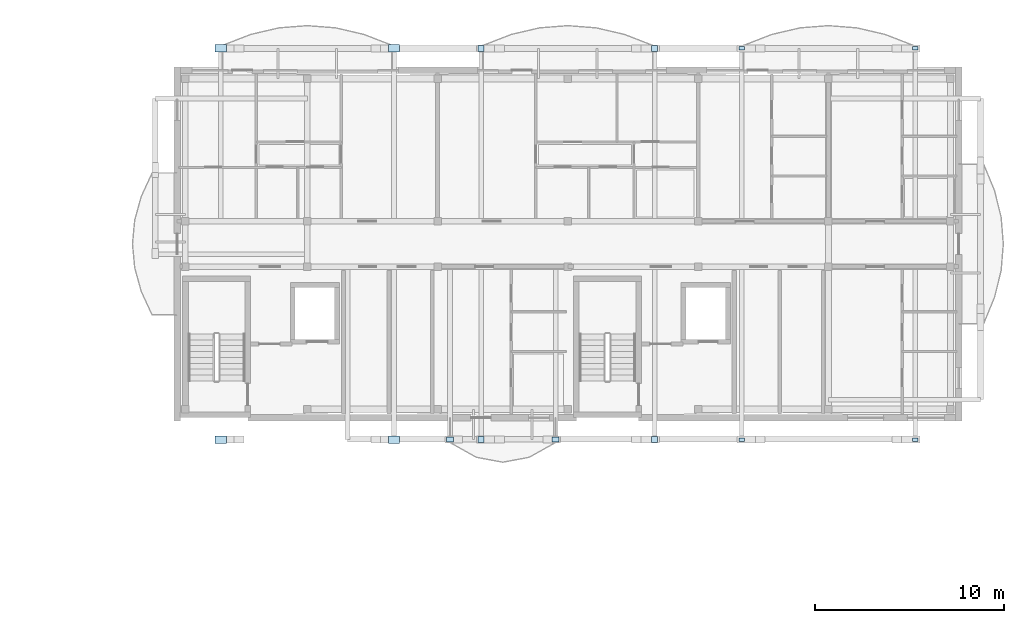
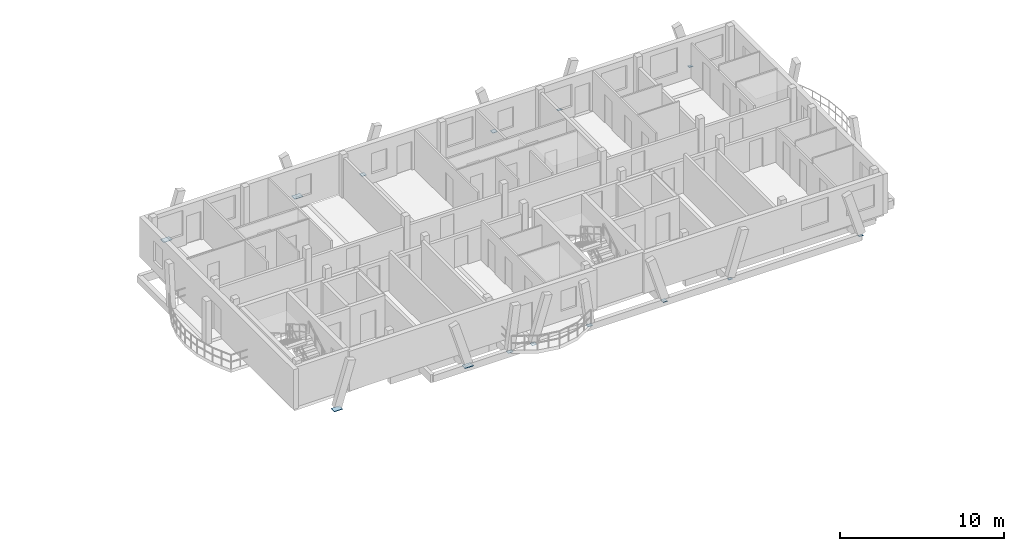
# One storey, part 12 of 41: 14 plates.
"""IFC4 building model written with IfcOpenShell, lengths in metres."""

import ifcopenshell
import ifcopenshell.guid

model = None  # the IFC model being written
_history = None  # IfcOwnerHistory: only IFC2X3 demands one
_inside = {}  # id of a spatial element -> (the spatial element, [elements in it])
_under = {}  # id of a project, library or spatial element -> (it, [spatial elements below it])
_declared = {}  # id of a project -> (the project, [libraries it declares])
_typed = {}  # id of a type object -> (the type object, [elements of that type])
_made_of = {}  # id of a material, layer set ... -> (it, [elements and type objects made of it])


def new_model(schema):
    """Start an empty IFC model of exactly this schema.

    Asked for "IFC4X3", IfcOpenShell would pick the latest addendum, in which some entities
    have other attributes; the version numbers below select the first issue.
    IFC2X3 requires an IfcOwnerHistory on every rooted entity: one is made here for all.
    """
    global model, _history
    if schema == "IFC4X3":
        model = ifcopenshell.file(schema_version=(4, 3, 0, 0))
    else:
        model = ifcopenshell.file(schema=schema)
    _inside.clear()
    _under.clear()
    _declared.clear()
    _typed.clear()
    _made_of.clear()
    _history = None
    if model.schema == "IFC2X3":
        org = make("IfcOrganization", Name="unknown")
        user = make(
            "IfcPersonAndOrganization",
            ThePerson=make("IfcPerson", FamilyName="unknown"),
            TheOrganization=org,
        )
        app = make(
            "IfcApplication",
            ApplicationDeveloper=org,
            Version="unknown",
            ApplicationFullName="unknown",
            ApplicationIdentifier="unknown",
        )
        _history = make(
            "IfcOwnerHistory",
            OwningUser=user,
            OwningApplication=app,
            ChangeAction="ADDED",
            CreationDate=0,
        )
    return model


def make(cls, **values):
    """One entity of the class cls with the attributes given. An attribute that is None is left unset."""
    return model.create_entity(
        cls, **{name: value for name, value in values.items() if value is not None}
    )


def rooted(cls, **values):
    """An entity with a GlobalId (a new one), such as an element, a storey or a relation."""
    return make(cls, GlobalId=ifcopenshell.guid.new(), OwnerHistory=_history, **values)


def si_unit(unit_type, name, prefix=None):
    """IfcSIUnit, for example si_unit("LENGTHUNIT", "METRE", prefix="MILLI")."""
    return make("IfcSIUnit", UnitType=unit_type, Prefix=prefix, Name=name)


def assignment(units):
    """IfcUnitAssignment: the units of a project."""
    return None if units is None else make("IfcUnitAssignment", Units=units)


def point(xyz):
    """IfcCartesianPoint."""
    return None if xyz is None else make("IfcCartesianPoint", Coordinates=xyz)


def direction(xyz):
    """IfcDirection."""
    return None if xyz is None else make("IfcDirection", DirectionRatios=xyz)


def frame(location, z_axis=None, x_axis=None):
    """IfcAxis2Placement3D, a coordinate frame: its origin and axes. An axis left out is left unset."""
    return make(
        "IfcAxis2Placement3D",
        Location=point(location),
        Axis=direction(z_axis),
        RefDirection=direction(x_axis),
    )


def frame_2d(location, x_axis=None):
    """IfcAxis2Placement2D, a coordinate frame in the plane: its origin and x axis."""
    return make(
        "IfcAxis2Placement2D", Location=point(location), RefDirection=direction(x_axis)
    )


def origin():
    """The frame at (0, 0, 0) with its axes left unset."""
    return frame((0.0, 0.0, 0.0))


def origin_2d():
    """The frame at (0, 0) in the plane with its x axis left unset."""
    return frame_2d((0.0, 0.0))


def place(relative_to, where):
    """IfcLocalPlacement: puts the frame where relative to a parent placement (None: the world)."""
    return make(
        "IfcLocalPlacement", PlacementRelTo=relative_to, RelativePlacement=where
    )


def context(
    kind, dimensions, precision=None, world=None, true_north=None, identifier=None
):
    """IfcGeometricRepresentationContext, for example the 3D "Model" context."""
    return make(
        "IfcGeometricRepresentationContext",
        ContextIdentifier=identifier,
        ContextType=kind,
        CoordinateSpaceDimension=dimensions,
        Precision=precision,
        WorldCoordinateSystem=world,
        TrueNorth=true_north,
    )


def subcontext(parent, identifier, kind, view, scale=None):
    """IfcGeometricRepresentationSubContext, for example "Body" below "Model"."""
    return make(
        "IfcGeometricRepresentationSubContext",
        ContextIdentifier=identifier,
        ContextType=kind,
        ParentContext=parent,
        TargetScale=scale,
        TargetView=view,
    )


def project(units=None, contexts=None):
    """IfcProject with its units and contexts."""
    return rooted(
        "IfcProject",
        Name="project",
        RepresentationContexts=contexts,
        UnitsInContext=assignment(units),
    )


def spatial(cls, under=None, at=None, **own):
    """A site, building, storey or space (cls), placed at a placement, below another one or the project."""
    s = rooted(cls, ObjectPlacement=at, **own)
    if under is not None:
        _under.setdefault(under.id(), (under, []))[1].append(s)
    return s


def profile(cls, at=None, kind="AREA", **sizes):
    """A parametric profile (cls). Its sizes go by their IFC names, for example OverallWidth=200.0."""
    return make(cls, ProfileType=kind, Position=at, **sizes)


def rectangle(**sizes):
    """IfcRectangleProfileDef."""
    return profile("IfcRectangleProfileDef", **sizes)


def extrude(swept, where, along, depth):
    """IfcExtrudedAreaSolid: the profile swept, set in the frame where, extruded along a direction by depth."""
    return make(
        "IfcExtrudedAreaSolid",
        SweptArea=swept,
        Position=where,
        ExtrudedDirection=direction(along),
        Depth=depth,
    )


def shape(context_of_items, identifier, shape_type, items):
    """IfcShapeRepresentation: the items that make up one representation, for example the "Body"."""
    return make(
        "IfcShapeRepresentation",
        ContextOfItems=context_of_items,
        RepresentationIdentifier=identifier,
        RepresentationType=shape_type,
        Items=items,
    )


def material(Name=None, Category=None):
    """IfcMaterial."""
    return make("IfcMaterial", Name=Name, Category=Category)


def layer(
    of_material, thickness, ventilated=None, Name=None, Category=None, Priority=None
):
    """IfcMaterialLayer: one layer of a wall or slab, of a material (None: an air gap)."""
    return make(
        "IfcMaterialLayer",
        Material=of_material,
        LayerThickness=thickness,
        IsVentilated=ventilated,
        Name=Name,
        Category=Category,
        Priority=Priority,
    )


def layer_set(layers, Name=None):
    """IfcMaterialLayerSet."""
    return make("IfcMaterialLayerSet", MaterialLayers=layers, LayerSetName=Name)


def made_of(thing, what):
    """Note that an element or type object is made of a material, layer set ...; save() writes the relation."""
    if what is not None:
        _made_of.setdefault(what.id(), (what, []))[1].append(thing)
    return thing


def type_object(cls, material=None, **own):
    """A type object (cls), such as IfcWallType, which elements share."""
    return made_of(rooted(cls, **own), material)


def element(
    cls,
    number,
    at=None,
    inside=None,
    cuts=None,
    type_object=None,
    material=None,
    context=None,
    identifier="Body",
    shape_type=None,
    held_by="IfcProductDefinitionShape",
    body=None,
    shapes=None,
    **own,
):
    """One element of the class cls, such as IfcWall. Its Tag is "e" and its number.

    at: its placement. inside: the storey or other place that contains it. cuts: it is an
    opening in that element (IfcRelVoidsElement). A single representation is given by context,
    identifier, shape_type and body (its items); several are given by shapes. held_by: the class
    of the entity that holds the representations. save() writes the other relations.
    """
    e = rooted(cls, Tag="e%d" % number, ObjectPlacement=at, **own)
    if body is not None:
        shapes = [shape(context, identifier, shape_type, body)]
    if shapes is not None:
        e.Representation = make(held_by, Representations=shapes)
    if inside is not None:
        _inside.setdefault(inside.id(), (inside, []))[1].append(e)
    if cuts is not None:
        rooted(
            "IfcRelVoidsElement", RelatingBuildingElement=cuts, RelatedOpeningElement=e
        )
    if type_object is not None:
        _typed.setdefault(type_object.id(), (type_object, []))[1].append(e)
    return made_of(e, material)


def aggregate(whole, parts):
    """IfcRelAggregates: a whole, such as a stair, and the parts it consists of."""
    return rooted("IfcRelAggregates", RelatingObject=whole, RelatedObjects=parts)


def save(model, path):
    """Write the relations noted so far, then the file.

    IfcRelAggregates (storeys below a building ...), IfcRelContainedInSpatialStructure (elements
    in a storey), IfcRelDefinesByType, IfcRelAssociatesMaterial and IfcRelDeclares: one each for
    every whole, place, type object, material and project.
    """
    for whole, parts in _under.values():
        aggregate(whole, parts)
    for where, things in _inside.values():
        rooted(
            "IfcRelContainedInSpatialStructure",
            RelatedElements=things,
            RelatingStructure=where,
        )
    for kind, things in _typed.values():
        rooted("IfcRelDefinesByType", RelatedObjects=things, RelatingType=kind)
    for what, things in _made_of.values():
        rooted("IfcRelAssociatesMaterial", RelatedObjects=things, RelatingMaterial=what)
    for by, libraries in _declared.values():
        rooted("IfcRelDeclares", RelatingContext=by, RelatedDefinitions=libraries)
    model.write(path)


model = new_model("IFC4")

# Units and contexts
model_context = context("Model", 3, precision=1e-05, world=origin(), true_north=direction((0.0, 1.0)))
body_context = subcontext(model_context, "Body", "Model", "MODEL_VIEW")
ifc_project = project(units=[si_unit("LENGTHUNIT", "METRE"), si_unit("AREAUNIT", "SQUARE_METRE"), si_unit("VOLUMEUNIT", "CUBIC_METRE"), si_unit("PLANEANGLEUNIT", "RADIAN"), si_unit("MASSUNIT", "GRAM", prefix="KILO")], contexts=[model_context])

# Site, building, storey
site_placement = place(None, origin())
site = spatial("IfcSite", under=ifc_project, at=site_placement, CompositionType="ELEMENT")
building_placement = place(site_placement, origin())
building = spatial("IfcBuilding", under=site, at=building_placement, Name="Zavelmont Quarter", CompositionType="ELEMENT")
storey_placement = place(building_placement, frame((0.0, 0.0, 27.199951171875)))
storey = spatial("IfcBuildingStorey", under=building, at=storey_placement, Name="L08", CompositionType="ELEMENT", Elevation=27.199951171875)

# Plates
ifc_material = material(Name="Steel S355", Category="steel")
ifc_layer_1 = layer(ifc_material, 0.02001953125)
ifc_layer_set_1 = layer_set([ifc_layer_1], Name="Steel S355")
plate_type_1 = type_object("IfcPlateType", Name="NP01", PredefinedType="SHEET", material=ifc_layer_set_1)
for number, where, z_axis, x_axis, name in (
    (1, (156.50732421875, 117.162109375, -0.2099609375), (0.0, 0.0, 1.0), (1.0, 0.0, 0.0), "L08 steel connection plate NP01 at 23/S"),
    (2, (165.692626953125, 117.162109375, -0.2099609375), (0.0, 0.0, 1.0), (1.0, 0.0, 0.0), "L08 steel connection plate NP01 at 25/S"),
    (3, (156.50732421875, 96.43798828125, -0.2099609375), (0.0, 0.0, 1.0), (1.0, 0.0, 0.0), "L08 steel connection plate NP01 at 23/P"),
    (4, (165.692626953125, 96.43798828125, -0.2099609375), (0.0, 0.0, 1.0), (1.0, 0.0, 0.0), "L08 steel connection plate NP01 at 25/P"),
):
    element("IfcPlate", number, at=place(storey_placement, frame(where, z_axis=z_axis, x_axis=x_axis)), inside=storey, type_object=plate_type_1, Name=name, PredefinedType="SHEET", context=body_context, shape_type="SweptSolid", body=[
        extrude(rectangle(XDim=0.280029296875, YDim=0.179931640625, at=origin_2d()), origin(), (0.0, 0.0, 1.0), 0.02001953125),
    ])
ifc_layer_2 = layer(ifc_material, 0.02392578125)
ifc_layer_set_2 = layer_set([ifc_layer_2], Name="Steel S355")
plate_type_2 = type_object("IfcPlateType", Name="NP02", PredefinedType="SHEET", material=ifc_layer_set_2)
for number, where, z_axis, x_axis, name in (
    (5, (141.050048828125, 96.43798828125, -0.2119140625), (0.0, 0.0, 1.0), (1.0, 0.0, 0.0), "L08 steel connection plate NP02 at 21/P"),
    (6, (146.64990234375, 96.43798828125, -0.2119140625), (0.0, 0.0, 1.0), (1.0, 0.0, 0.0), "L08 steel connection plate NP02 at 22/P"),
):
    element("IfcPlate", number, at=place(storey_placement, frame(where, z_axis=z_axis, x_axis=x_axis)), inside=storey, type_object=plate_type_2, Name=name, PredefinedType="SHEET", context=body_context, shape_type="SweptSolid", body=[
        extrude(rectangle(XDim=0.360107421875, YDim=0.260009765625, at=origin_2d()), origin(), (0.0, 0.0, 1.0), 0.02392578125),
    ])
ifc_layer_3 = layer(ifc_material, 0.030029296875)
ifc_layer_set_3 = layer_set([ifc_layer_3], Name="Steel S355")
plate_type_3 = type_object("IfcPlateType", Name="NP05", PredefinedType="SHEET", material=ifc_layer_set_3)
for number, where, z_axis, x_axis, name in (
    (7, (128.907470703125, 117.162109375, -0.21484375), (0.0, 0.0, 1.0), (1.0, 0.0, 0.0), "L08 steel connection plate NP05 at 19/S"),
    (8, (138.092529296875, 117.162109375, -0.21484375), (0.0, 0.0, 1.0), (1.0, 0.0, 0.0), "L08 steel connection plate NP05 at 21/S"),
    (9, (128.907470703125, 96.43798828125, -0.21484375), (0.0, 0.0, 1.0), (1.0, 0.0, 0.0), "L08 steel connection plate NP05 at 19/P"),
    (10, (138.092529296875, 96.43798828125, -0.21484375), (0.0, 0.0, 1.0), (1.0, 0.0, 0.0), "L08 steel connection plate NP05 at 21/P"),
):
    element("IfcPlate", number, at=place(storey_placement, frame(where, z_axis=z_axis, x_axis=x_axis)), inside=storey, type_object=plate_type_3, Name=name, PredefinedType="SHEET", context=body_context, shape_type="SweptSolid", body=[
        extrude(rectangle(XDim=0.60009765625, YDim=0.39990234375, at=origin_2d()), origin(), (0.0, 0.0, 1.0), 0.030029296875),
    ])
ifc_layer_4 = layer(ifc_material, 0.02197265625)
ifc_layer_set_4 = layer_set([ifc_layer_4], Name="Steel S355")
plate_type_4 = type_object("IfcPlateType", Name="NP06", PredefinedType="SHEET", material=ifc_layer_set_4)
for number, where, z_axis, x_axis, name in (
    (11, (142.70751953125, 117.162109375, -0.2109375), (0.0, 0.0, 1.0), (1.0, 0.0, 0.0), "L08 steel connection plate NP06 at 21/S"),
    (12, (151.892578125, 117.162109375, -0.2109375), (0.0, 0.0, 1.0), (1.0, 0.0, 0.0), "L08 steel connection plate NP06 at 23/S"),
    (13, (142.70751953125, 96.43798828125, -0.2109375), (0.0, 0.0, 1.0), (1.0, 0.0, 0.0), "L08 steel connection plate NP06 at 21/P"),
    (14, (151.892578125, 96.43798828125, -0.2109375), (0.0, 0.0, 1.0), (1.0, 0.0, 0.0), "L08 steel connection plate NP06 at 23/P"),
):
    element("IfcPlate", number, at=place(storey_placement, frame(where, z_axis=z_axis, x_axis=x_axis)), inside=storey, type_object=plate_type_4, Name=name, PredefinedType="SHEET", context=body_context, shape_type="SweptSolid", body=[
        extrude(rectangle(XDim=0.320068359375, YDim=0.320068359375, at=origin_2d()), origin(), (0.0, 0.0, 1.0), 0.02197265625),
    ])

save(model, "model.ifc")
